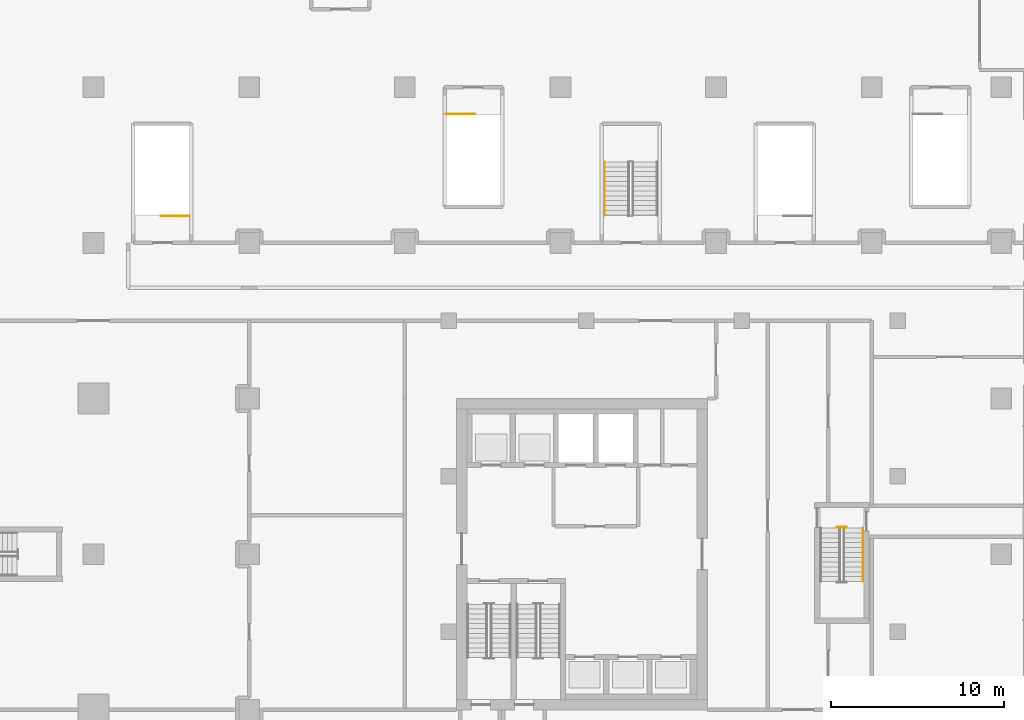
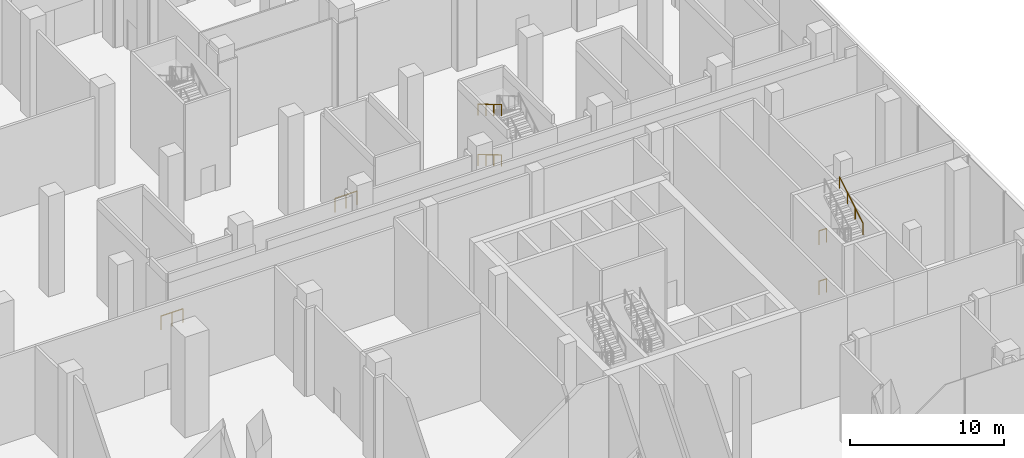
# One storey, part 36 of 42: 7 railings.
"""IFC4 building model written with IfcOpenShell, lengths in metres."""

from ifc_helpers import new_model, si_unit, direction, frame, origin, origin_2d, place, context, subcontext, project, spatial, circle, extrude, material, type_object, element, save


model = new_model("IFC4")

# Units and contexts
model_context = context("Model", 3, precision=1e-05, world=origin(), true_north=direction((0.0, 1.0)))
body_context = subcontext(model_context, "Body", "Model", "MODEL_VIEW")
ifc_project = project(units=[si_unit("LENGTHUNIT", "METRE"), si_unit("AREAUNIT", "SQUARE_METRE"), si_unit("VOLUMEUNIT", "CUBIC_METRE"), si_unit("PLANEANGLEUNIT", "RADIAN"), si_unit("MASSUNIT", "GRAM", prefix="KILO")], contexts=[model_context])

# Site, building, storey
site_placement = place(None, origin())
site = spatial("IfcSite", under=ifc_project, at=site_placement, CompositionType="ELEMENT")
building_placement = place(site_placement, origin())
building = spatial("IfcBuilding", under=site, at=building_placement, Name="Plateau Cross Towers", CompositionType="ELEMENT")
storey_placement = place(building_placement, origin())
storey = spatial("IfcBuildingStorey", under=building, at=storey_placement, Name="L00", CompositionType="ELEMENT", Elevation=0.0)

# Railings
ifc_material_1 = material(Name="Stainless steel and toughened glass", Category="steel")
railing_type_1 = type_object("IfcRailingType", Name="RL-GUARD-1100", PredefinedType="GUARDRAIL", material=ifc_material_1)
for number, where, name in (
    (1, (97.0, 10.550048828125, 4.0), "L00 SB-3 stair guard 4"),
    (2, (97.0, 10.550048828125, 0.0), "L00 SB-3 stair guard 8"),
):
    element("IfcRailing", number, at=place(storey_placement, frame(where)), inside=storey, type_object=railing_type_1, Name=name, PredefinedType="GUARDRAIL", context=body_context, shape_type="SweptSolid", body=[
        extrude(circle(Radius=0.02392578125, at=origin_2d()), frame((0.0, 0.0, 1.076171875), z_axis=(1.0, 0.0, 0.0), x_axis=(0.0, 1.0, 0.0)), (0.0, 0.0, 1.0), 0.550048828125),
        extrude(circle(Radius=0.02099609375, at=origin_2d()), origin(), (0.0, 0.0, 1.0), 1.052001953125),
        extrude(circle(Radius=0.02099609375, at=origin_2d()), frame((0.550048828125, 0.0, 0.0)), (0.0, 0.0, 1.0), 1.052001953125),
    ])
railing_1_placement = place(storey_placement, frame((59.550048828125, 28.550048828125, 0.0)))
element("IfcRailing", 3, at=railing_1_placement, inside=storey, type_object=railing_type_1, Name="L00 PB3 top well guard 1", PredefinedType="GUARDRAIL", context=body_context, shape_type="SweptSolid", body=[
    extrude(circle(Radius=0.02392578125, at=origin_2d()), frame((0.0, 0.0, 1.076171875), z_axis=(-1.0, 0.0, 0.0), x_axis=(0.0, -1.0, 0.0)), (0.0, 0.0, 1.0), 1.650146484375),
    extrude(circle(Radius=0.02099609375, at=origin_2d()), origin(), (0.0, 0.0, 1.0), 1.052001953125),
    extrude(circle(Radius=0.02099609375, at=origin_2d()), frame((-0.8251953125, 0.0, 0.0)), (0.0, 0.0, 1.0), 1.052001953125),
    extrude(circle(Radius=0.02099609375, at=origin_2d()), frame((-1.650146484375, 0.0, 0.0)), (0.0, 0.0, 1.0), 1.052001953125),
])
railing_2_placement = place(storey_placement, frame((74.39990234375, 34.449951171875, 0.0)))
element("IfcRailing", 4, at=railing_2_placement, inside=storey, type_object=railing_type_1, Name="L00 PB4 top well guard 1", PredefinedType="GUARDRAIL", context=body_context, shape_type="SweptSolid", body=[
    extrude(circle(Radius=0.02392578125, at=origin_2d()), frame((0.0, 0.0, 1.076171875), z_axis=(1.0, 0.0, 0.0), x_axis=(0.0, 1.0, 0.0)), (0.0, 0.0, 1.0), 1.650146484375),
    extrude(circle(Radius=0.02099609375, at=origin_2d()), origin(), (0.0, 0.0, 1.0), 1.052001953125),
    extrude(circle(Radius=0.02099609375, at=origin_2d()), frame((0.8251953125, 0.0, 0.0)), (0.0, 0.0, 1.0), 1.052001953125),
    extrude(circle(Radius=0.02099609375, at=origin_2d()), frame((1.650146484375, 0.0, 0.0)), (0.0, 0.0, 1.0), 1.052001953125),
])
ifc_material_2 = material(Name="Black anodised aluminium", Category="aluminium")
railing_type_2 = type_object("IfcRailingType", Name="RL-HANDRAIL-900", PredefinedType="HANDRAIL", material=ifc_material_2)
railing_3_placement = place(storey_placement, frame((98.5, 7.419921875, 6.166748046875)))
element("IfcRailing", 5, at=railing_3_placement, inside=storey, type_object=railing_type_2, Name="L00 SB-3 stair handrail 4", PredefinedType="HANDRAIL", context=body_context, shape_type="SweptSolid", body=[
    extrude(circle(Radius=0.02392578125, at=origin_2d()), frame((0.0, 0.0, 0.8759765625), z_axis=(0.0, 0.859308565015, 0.511457515432), x_axis=(-1.0, 0.0, 0.0)), (0.0, 0.0, 1.0), 3.58447265625),
    extrude(circle(Radius=0.02099609375, at=origin_2d()), origin(), (0.0, 0.0, 1.0), 0.851806640625),
    extrude(circle(Radius=0.02099609375, at=origin_2d()), frame((0.0, 1.026611328125, 0.611083984375)), (0.0, 0.0, 1.0), 0.851806640625),
    extrude(circle(Radius=0.02099609375, at=origin_2d()), frame((0.0, 2.053466796875, 1.22216796875)), (0.0, 0.0, 1.0), 0.851806640625),
    extrude(circle(Radius=0.02099609375, at=origin_2d()), frame((0.0, 3.080078125, 1.833251953125)), (0.0, 0.0, 1.0), 0.851806640625),
])
for number, where, name in (
    (6, (83.550048828125, 31.679931640625, 2.166748046875), "L00 PS5 stair handrail 2"),
    (7, (83.550048828125, 31.679931640625, 6.166748046875), "L00 PS5 stair handrail 4"),
):
    element("IfcRailing", number, at=place(storey_placement, frame(where)), inside=storey, type_object=railing_type_2, Name=name, PredefinedType="HANDRAIL", context=body_context, shape_type="SweptSolid", body=[
        extrude(circle(Radius=0.02392578125, at=origin_2d()), frame((0.0, 0.0, 0.8759765625), z_axis=(0.0, -0.859290745958, 0.51148745235), x_axis=(1.0, 0.0, 0.0)), (0.0, 0.0, 1.0), 3.584228515625),
        extrude(circle(Radius=0.02099609375, at=origin_2d()), origin(), (0.0, 0.0, 1.0), 0.851806640625),
        extrude(circle(Radius=0.02099609375, at=origin_2d()), frame((0.0, -1.026611328125, 0.611083984375)), (0.0, 0.0, 1.0), 0.851806640625),
        extrude(circle(Radius=0.02099609375, at=origin_2d()), frame((0.0, -2.05322265625, 1.22216796875)), (0.0, 0.0, 1.0), 0.851806640625),
        extrude(circle(Radius=0.02099609375, at=origin_2d()), frame((0.0, -3.079833984375, 1.833251953125)), (0.0, 0.0, 1.0), 0.851806640625),
    ])

save(model, "model.ifc")
